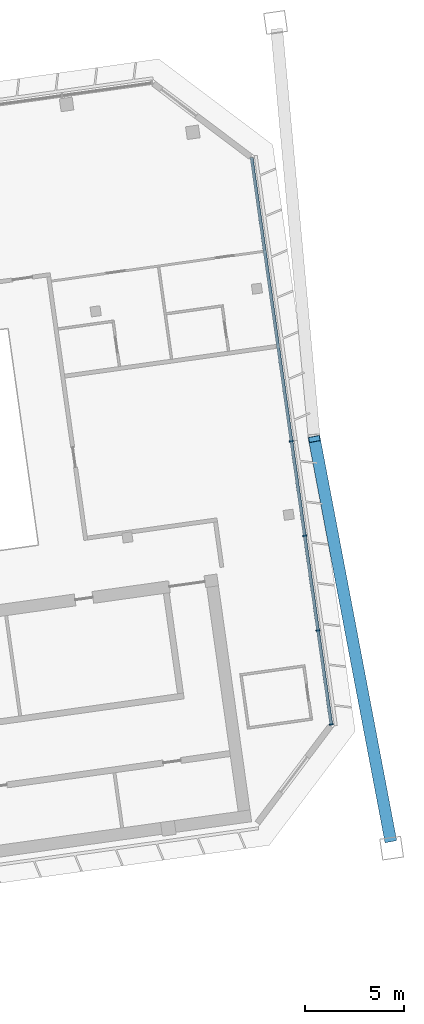
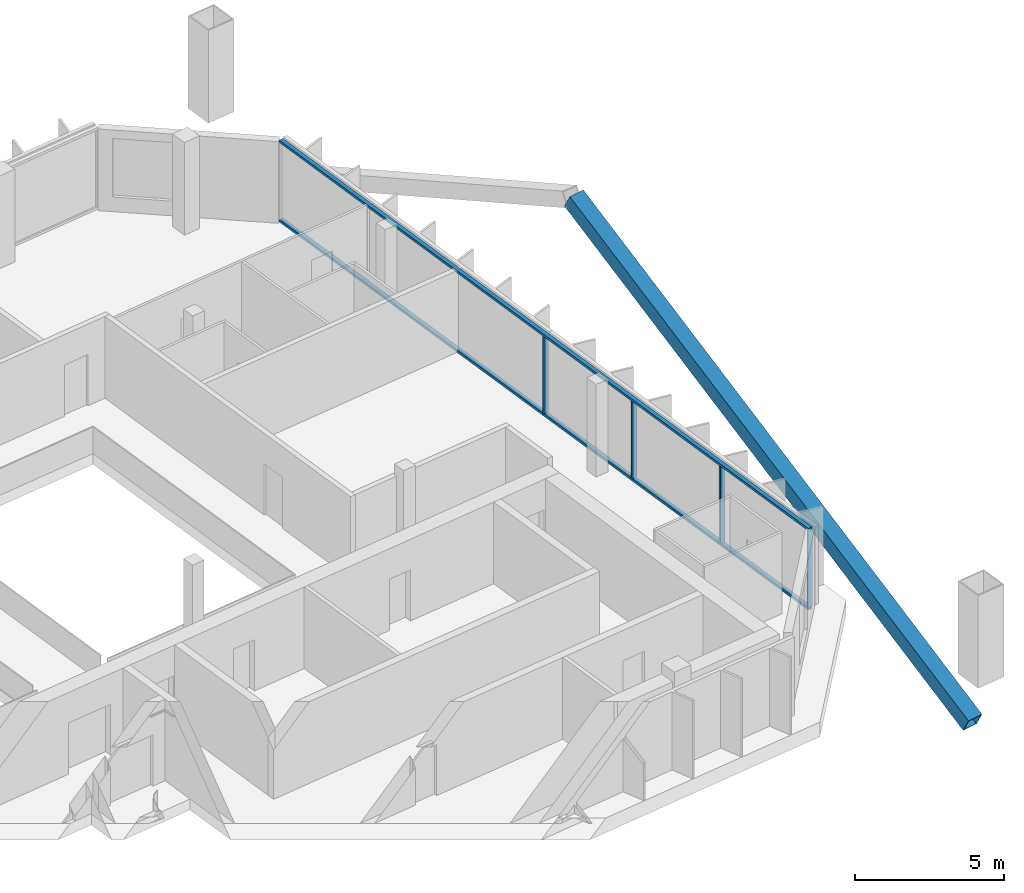
# One storey, part 10 of 23: 7 members, 1 element without a shape of its own.
"""IFC4 building model written with IfcOpenShell, lengths in metres."""

from ifc_helpers import new_model, si_unit, direction, frame, origin, origin_2d, place, context, subcontext, project, spatial, rectangle, hollow_rectangle, extrude, material, material_profile, profile_set, type_object, element, aggregate, save


model = new_model("IFC4")

# Units and contexts
model_context = context("Model", 3, precision=1e-05, world=origin(), true_north=direction((0.0, 1.0)))
body_context = subcontext(model_context, "Body", "Model", "MODEL_VIEW")
ifc_project = project(units=[si_unit("LENGTHUNIT", "METRE"), si_unit("AREAUNIT", "SQUARE_METRE"), si_unit("VOLUMEUNIT", "CUBIC_METRE"), si_unit("PLANEANGLEUNIT", "RADIAN"), si_unit("MASSUNIT", "GRAM", prefix="KILO")], contexts=[model_context])

# Site, building, storey
site_placement = place(None, origin())
site = spatial("IfcSite", under=ifc_project, at=site_placement, CompositionType="ELEMENT")
building_placement = place(site_placement, origin())
building = spatial("IfcBuilding", under=site, at=building_placement, Name="Mirante Cascada Hotel Towers", CompositionType="ELEMENT")
storey_placement = place(building_placement, frame((0.0, 0.0, 220.4)))
storey = spatial("IfcBuildingStorey", under=building, at=storey_placement, Name="L52", CompositionType="ELEMENT", Elevation=220.4)

# Member
ifc_material_1 = material(Name="Steel ASTM A572 Gr 50", Category="steel")
ifc_material_profile_1 = material_profile(ifc_material_1, hollow_rectangle(XDim=0.6, YDim=0.6, WallThickness=0.028, at=origin_2d()), Name="Box brace 600x600x28 ASTM A572 Gr 50")
ifc_profile_set_1 = profile_set([ifc_material_profile_1], Name="Steel ASTM A572 Gr 50")
member_type_1 = type_object("IfcMemberType", Name="Box brace 600x600x28 ASTM A572 Gr 50", PredefinedType="BRACE", material=ifc_profile_set_1)
member_1_placement = place(storey_placement, frame((79.4009, -15.797, -2.1856), z_axis=(-0.1657744, 0.8724349, 0.4597566), x_axis=(-0.982422, -0.1866734, 0.0)))
element("IfcMember", 1, at=member_1_placement, inside=storey, type_object=member_type_1, Name="brace T2 L52 1", PredefinedType="BRACE", context=body_context, shape_type="SweptSolid", body=[
    extrude(hollow_rectangle(XDim=0.6, YDim=0.6, WallThickness=0.028, at=origin_2d()), origin(), (0.0, 0.0, 1.0), 23.0977),
])

# Curtain wall, members
ifc_material_2 = material(Name="Aluminium mullion and transom frame with clear laminated glass", Category="aluminium")
curtain_wall_type = type_object("IfcCurtainWallType", Name="End ribbon curtain wall ECW2", PredefinedType="NOTDEFINED", material=ifc_material_2)
curtain_wall_placement = place(storey_placement, origin())
curtain_wall = element("IfcCurtainWall", 2, at=curtain_wall_placement, inside=storey, type_object=curtain_wall_type, Name="Outer end wall T2 L52", PredefinedType="NOTDEFINED")
ifc_material_3 = material(Name="Anodised aluminium extrusion", Category="aluminium")
ifc_material_profile_2 = material_profile(ifc_material_3, rectangle(XDim=0.2, YDim=0.065, at=origin_2d()), Name="ECW2 MULLION 65x200")
ifc_profile_set_2 = profile_set([ifc_material_profile_2], Name="Anodised aluminium extrusion")
member_type_2 = type_object("IfcMemberType", Name="ECW2 mullion 65x200", PredefinedType="MULLION", material=ifc_profile_set_2)
member_2_placement = place(storey_placement, frame((76.4184, -10.0233, 0.1), z_axis=(0.0, 0.0, 1.0), x_axis=(-0.9902681, -0.1391731, 0.0)))
member_2 = element("IfcMember", 3, at=member_2_placement, type_object=member_type_2, Name="ECW2 mullion 1", PredefinedType="MULLION", context=body_context, shape_type="SweptSolid", body=[
    extrude(rectangle(XDim=0.2, YDim=0.065, at=origin_2d()), origin(), (0.0, 0.0, 1.0), 3.15),
])
member_3_placement = place(storey_placement, frame((75.7531, -5.2897, 0.1), z_axis=(0.0, 0.0, 1.0), x_axis=(-0.9902681, -0.1391731, 0.0)))
member_3 = element("IfcMember", 4, at=member_3_placement, type_object=member_type_2, Name="ECW2 mullion 2", PredefinedType="MULLION", context=body_context, shape_type="SweptSolid", body=[
    extrude(rectangle(XDim=0.2, YDim=0.065, at=origin_2d()), origin(), (0.0, 0.0, 1.0), 3.15),
])
member_4_placement = place(storey_placement, frame((75.0833, -0.5239, 0.1), z_axis=(0.0, 0.0, 1.0), x_axis=(-0.9902681, -0.1391731, 0.0)))
member_4 = element("IfcMember", 5, at=member_4_placement, type_object=member_type_2, Name="ECW2 mullion 3", PredefinedType="MULLION", context=body_context, shape_type="SweptSolid", body=[
    extrude(rectangle(XDim=0.2, YDim=0.065, at=origin_2d()), origin(), (0.0, 0.0, 1.0), 3.15),
])
member_5_placement = place(storey_placement, frame((74.4135, 4.2419, 0.1), z_axis=(0.0, 0.0, 1.0), x_axis=(-0.9902681, -0.1391731, 0.0)))
member_5 = element("IfcMember", 6, at=member_5_placement, type_object=member_type_2, Name="ECW2 mullion 4", PredefinedType="MULLION", context=body_context, shape_type="SweptSolid", body=[
    extrude(rectangle(XDim=0.2, YDim=0.065, at=origin_2d()), origin(), (0.0, 0.0, 1.0), 3.15),
])
ifc_material_4 = material(Name="Anodised aluminium extrusion", Category="aluminium")
ifc_material_profile_3 = material_profile(ifc_material_4, rectangle(XDim=0.16, YDim=0.1, at=origin_2d()), Name="ECW2 TRANSOM 100x160")
ifc_profile_set_3 = profile_set([ifc_material_profile_3], Name="Anodised aluminium extrusion")
member_type_3 = type_object("IfcMemberType", Name="ECW2 transom 100x160", PredefinedType="USERDEFINED", material=ifc_profile_set_3)
member_6_placement = place(storey_placement, frame((76.4229, -10.0554, 0.05), z_axis=(-0.1391723, 0.9902682, 0.0), x_axis=(-0.9902682, -0.1391723, 0.0)))
member_6 = element("IfcMember", 7, at=member_6_placement, type_object=member_type_3, Name="ECW2 sill transom", ObjectType="TRANSOM", PredefinedType="USERDEFINED", context=body_context, shape_type="SweptSolid", body=[
    extrude(rectangle(XDim=0.16, YDim=0.1, at=origin_2d()), origin(), (0.0, 0.0, 1.0), 28.8757),
])
member_7_placement = place(storey_placement, frame((76.4229, -10.0554, 3.3), z_axis=(-0.1391723, 0.9902682, 0.0), x_axis=(-0.9902682, -0.1391723, 0.0)))
member_7 = element("IfcMember", 8, at=member_7_placement, type_object=member_type_3, Name="ECW2 head transom", ObjectType="TRANSOM", PredefinedType="USERDEFINED", context=body_context, shape_type="SweptSolid", body=[
    extrude(rectangle(XDim=0.16, YDim=0.1, at=origin_2d()), origin(), (0.0, 0.0, 1.0), 28.8757),
])
aggregate(curtain_wall, [member_6, member_7, member_2, member_3, member_4, member_5])

save(model, "model.ifc")
